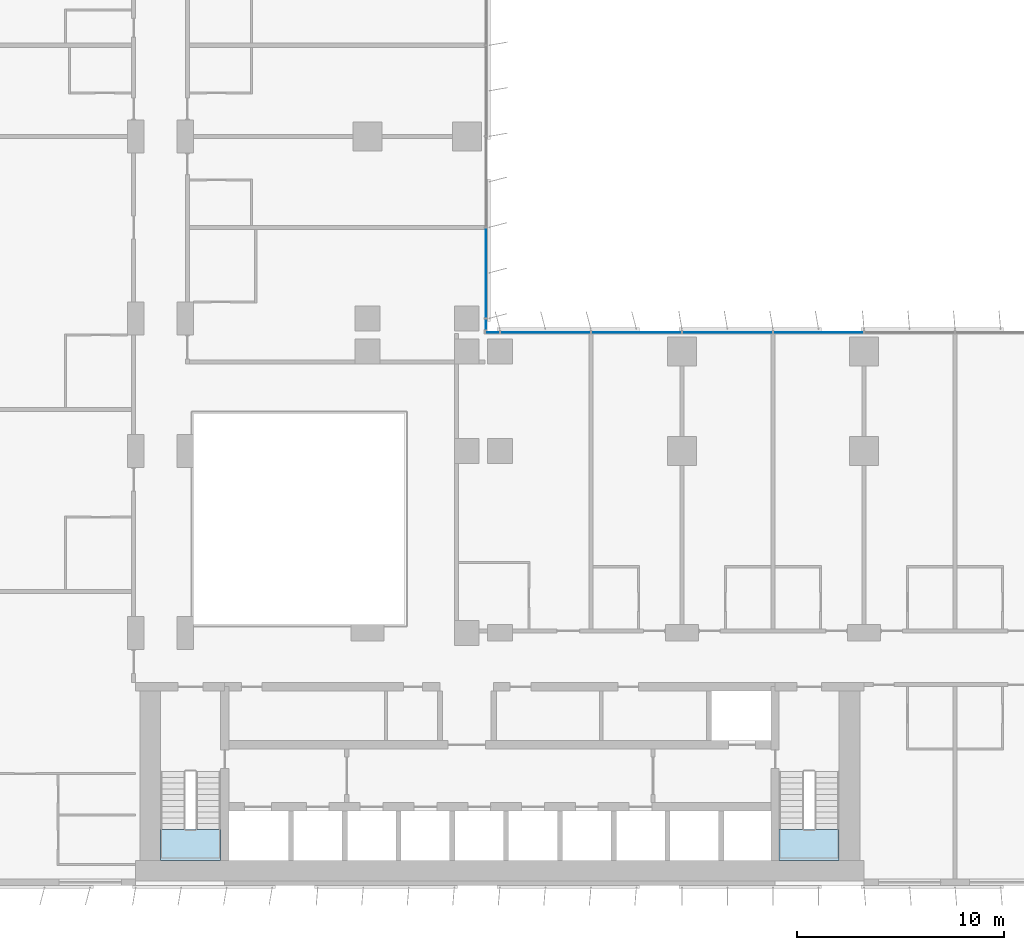
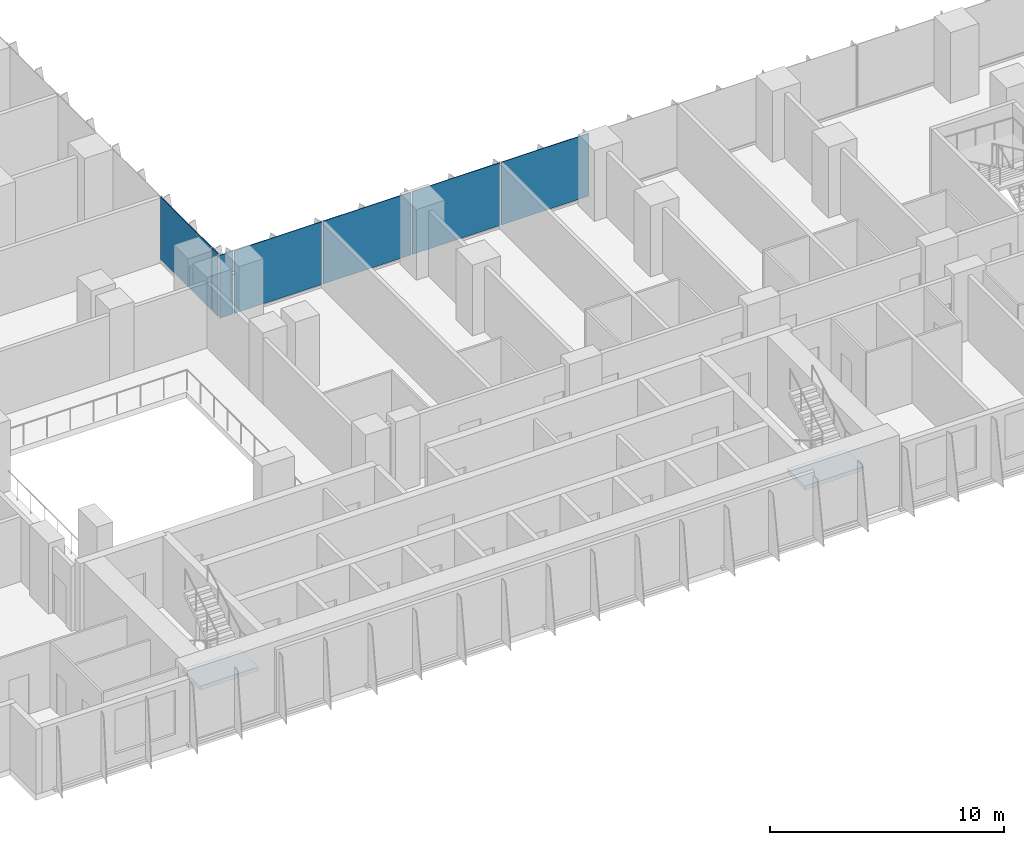
# One storey, part 10 of 24: 7 plates, 2 slabs, 4 elements without a shape of their own.
"""IFC4 building model written with IfcOpenShell, lengths in metres."""

from ifc_helpers import new_model, si_unit, direction, frame, origin, origin_2d, place, context, subcontext, project, spatial, polyline, rectangle, outline, extrude, source, transform, mapped, material, layer, layer_set, type_object, element, aggregate, save


model = new_model("IFC4")

# Units and contexts
model_context = context("Model", 3, precision=1e-05, world=origin(), true_north=direction((0.0, 1.0)))
body_context = subcontext(model_context, "Body", "Model", "MODEL_VIEW")
ifc_project = project(units=[si_unit("LENGTHUNIT", "METRE"), si_unit("AREAUNIT", "SQUARE_METRE"), si_unit("VOLUMEUNIT", "CUBIC_METRE"), si_unit("PLANEANGLEUNIT", "RADIAN"), si_unit("MASSUNIT", "GRAM", prefix="KILO")], contexts=[model_context])

# Site, building, storey
site_placement = place(None, origin())
site = spatial("IfcSite", under=ifc_project, at=site_placement, CompositionType="ELEMENT")
building_placement = place(site_placement, origin())
building = spatial("IfcBuilding", under=site, at=building_placement, Name="Kemantara Hotel Tower", CompositionType="ELEMENT")
storey_placement = place(building_placement, frame((0.0, 0.0, 37.699951171875)))
storey = spatial("IfcBuildingStorey", under=building, at=storey_placement, Name="L07", CompositionType="ELEMENT", Elevation=37.699951171875)

# Stair, slab
ifc_material_1 = material(Name="Concrete fc 40 MPa", Category="concrete")
stair_type = type_object("IfcStairType", Name="Stair 1200 wide 22 risers of 168 x 280 mm", PredefinedType="HALF_TURN_STAIR", material=ifc_material_1)
stair_1_placement = place(storey_placement, origin())
stair_1 = element("IfcStair", 1, at=stair_1_placement, inside=storey, type_object=stair_type, Name="L07 Exit stair ST1", PredefinedType="HALF_TURN_STAIR")
ifc_layer_1 = layer(ifc_material_1, 0.199951171875)
ifc_layer_set_1 = layer_set([ifc_layer_1], Name="Concrete fc 40 MPa")
slab_type = type_object("IfcSlabType", Name="Stair landing 200 mm", PredefinedType="LANDING", material=ifc_layer_set_1)
slab_1_placement = place(storey_placement, frame((0.0, 0.0, 1.650146484375)))
slab_1 = element("IfcSlab", 2, at=slab_1_placement, type_object=slab_type, Name="ST1 landing 1", PredefinedType="LANDING", context=body_context, shape_type="SweptSolid", body=[
    extrude(outline(polyline([(11.0, 2.699951171875), (11.0, 1.199951171875), (13.89990234375, 1.199951171875), (13.89990234375, 2.699951171875), (11.0, 2.699951171875)])), origin(), (0.0, 0.0, 1.0), 0.199951171875),
])
aggregate(stair_1, [slab_1])

stair_2_placement = place(storey_placement, origin())
stair_2 = element("IfcStair", 3, at=stair_2_placement, inside=storey, type_object=stair_type, Name="L07 Exit stair ST2", PredefinedType="HALF_TURN_STAIR")
slab_2_placement = place(storey_placement, frame((0.0, 0.0, 1.650146484375)))
slab_2 = element("IfcSlab", 4, at=slab_2_placement, type_object=slab_type, Name="ST2 landing 1", PredefinedType="LANDING", context=body_context, shape_type="SweptSolid", body=[
    extrude(outline(polyline([(40.89990234375, 2.699951171875), (40.89990234375, 1.199951171875), (43.800048828125, 1.199951171875), (43.800048828125, 2.699951171875), (40.89990234375, 2.699951171875)])), origin(), (0.0, 0.0, 1.0), 0.199951171875),
])
aggregate(stair_2, [slab_2])

# Curtain wall, plates
ifc_material_2 = material(Name="Low-E tinted double insulated glass 36 mm", Category="glass")
curtain_wall_type = type_object("IfcCurtainWallType", Name="TOWER CURTAIN WALL, FRONT FACES", PredefinedType="USERDEFINED", material=ifc_material_2)
curtain_wall_1_placement = place(storey_placement, origin())
curtain_wall_1 = element("IfcCurtainWall", 5, at=curtain_wall_1_placement, inside=storey, type_object=curtain_wall_type, Name="CW4 L07 T1-R07-1", ObjectType="TOWER CURTAIN WALL, FRONT FACES", PredefinedType="USERDEFINED")
ifc_layer_2 = layer(ifc_material_2, 0.035888671875)
ifc_layer_set_2 = layer_set([ifc_layer_2], Name="Low-E tinted double insulated glass 36 mm")
plate_type = type_object("IfcPlateType", Name="TOWER CURTAIN WALL, FRONT FACES PANEL", PredefinedType="CURTAIN_PANEL", material=ifc_layer_set_2)
shared_shape_1 = source(origin(), body_context, "Body", "SweptSolid", [
    extrude(rectangle(XDim=4.340087890625, YDim=0.035888671875, at=origin_2d()), origin(), (0.0, 0.0, 1.0), 3.280029296875),
])
plate_1_placement = place(storey_placement, frame((42.800048828125, 26.72509765625, 0.1201171875), z_axis=(0.0, 0.0, 1.0), x_axis=(-1.0, 0.0, 0.0)))
plate_1 = element("IfcPlate", 6, at=plate_1_placement, type_object=plate_type, Name="CW4 glass panel T1-R07-1.9", PredefinedType="CURTAIN_PANEL", context=body_context, shape_type="MappedRepresentation", body=[
    mapped(shared_shape_1, transform((0.0, 0.0, 0.0))),
])
plate_2_placement = place(storey_placement, frame((38.39990234375, 26.72509765625, 0.1201171875), z_axis=(0.0, 0.0, 1.0), x_axis=(-1.0, 0.0, 0.0)))
plate_2 = element("IfcPlate", 7, at=plate_2_placement, type_object=plate_type, Name="CW4 glass panel T1-R07-1.10", PredefinedType="CURTAIN_PANEL", context=body_context, shape_type="MappedRepresentation", body=[
    mapped(shared_shape_1, transform((0.0, 0.0, 0.0))),
])
plate_3_placement = place(storey_placement, frame((34.0, 26.72509765625, 0.1201171875), z_axis=(0.0, 0.0, 1.0), x_axis=(-1.0, 0.0, 0.0)))
plate_3 = element("IfcPlate", 8, at=plate_3_placement, type_object=plate_type, Name="CW4 glass panel T1-R07-1.11", PredefinedType="CURTAIN_PANEL", context=body_context, shape_type="MappedRepresentation", body=[
    mapped(shared_shape_1, transform((0.0, 0.0, 0.0))),
])
plate_4_placement = place(storey_placement, frame((29.60009765625, 26.72509765625, 0.1201171875), z_axis=(0.0, 0.0, 1.0), x_axis=(-1.0, 0.0, 0.0)))
plate_4 = element("IfcPlate", 9, at=plate_4_placement, type_object=plate_type, Name="CW4 glass panel T1-R07-1.12", PredefinedType="CURTAIN_PANEL", context=body_context, shape_type="MappedRepresentation", body=[
    mapped(shared_shape_1, transform((0.0, 0.0, 0.0))),
])

# Curtain wall, plate
curtain_wall_2_placement = place(storey_placement, origin())
curtain_wall_2 = element("IfcCurtainWall", 10, at=curtain_wall_2_placement, inside=storey, type_object=curtain_wall_type, Name="CW4 L07 T1-R08-1", ObjectType="TOWER CURTAIN WALL, FRONT FACES", PredefinedType="USERDEFINED")
plate_5_placement = place(storey_placement, frame((26.72509765625, 29.60009765625, 0.1201171875), z_axis=(0.0, 0.0, 1.0), x_axis=(0.0, 1.0, 0.0)))
plate_5 = element("IfcPlate", 11, at=plate_5_placement, type_object=plate_type, Name="CW4 glass panel T1-R08-1.2", PredefinedType="CURTAIN_PANEL", context=body_context, shape_type="MappedRepresentation", body=[
    mapped(shared_shape_1, transform((0.0, 0.0, 0.0))),
])

# Plate
shared_shape_2 = source(origin(), body_context, "Body", "SweptSolid", [
    extrude(rectangle(XDim=0.659912109375, YDim=0.035888671875, at=origin_2d()), origin(), (0.0, 0.0, 1.0), 3.280029296875),
])
plate_6_placement = place(storey_placement, frame((27.0400390625, 26.72509765625, 0.1201171875), z_axis=(0.0, 0.0, 1.0), x_axis=(-1.0, 0.0, 0.0)))
plate_6 = element("IfcPlate", 12, at=plate_6_placement, type_object=plate_type, Name="CW4 glass panel T1-R07-1.13", PredefinedType="CURTAIN_PANEL", context=body_context, shape_type="MappedRepresentation", body=[
    mapped(shared_shape_2, transform((0.0, 0.0, 0.0))),
])

aggregate(curtain_wall_1, [plate_1, plate_2, plate_3, plate_4, plate_6])

shared_shape_3 = source(origin(), body_context, "Body", "SweptSolid", [
    extrude(rectangle(XDim=0.510009765625, YDim=0.035888671875, at=origin_2d()), origin(), (0.0, 0.0, 1.0), 3.280029296875),
])
plate_7_placement = place(storey_placement, frame((26.72509765625, 27.114990234375, 0.1201171875), z_axis=(0.0, 0.0, 1.0), x_axis=(0.0, 1.0, 0.0)))
plate_7 = element("IfcPlate", 13, at=plate_7_placement, type_object=plate_type, Name="CW4 glass panel T1-R08-1.1", PredefinedType="CURTAIN_PANEL", context=body_context, shape_type="MappedRepresentation", body=[
    mapped(shared_shape_3, transform((0.0, 0.0, 0.0))),
])

aggregate(curtain_wall_2, [plate_7, plate_5])

save(model, "model.ifc")
